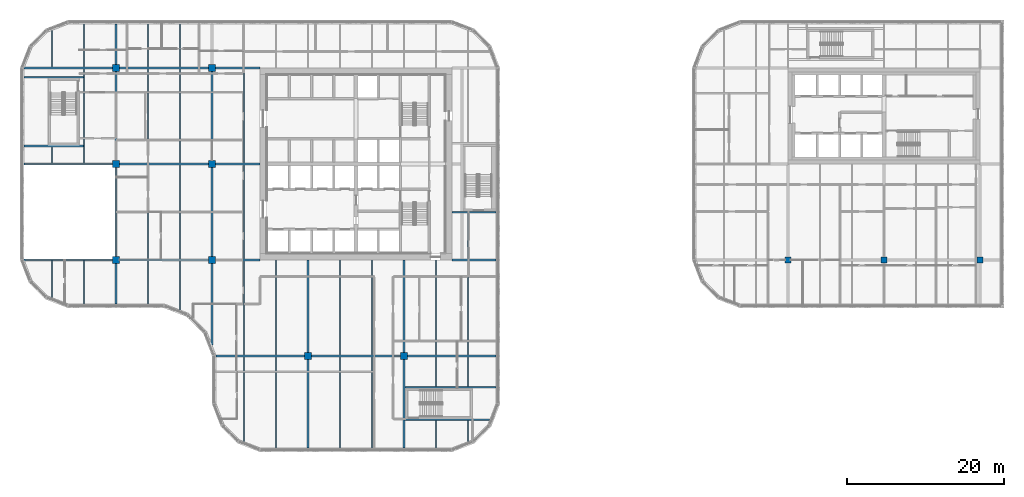
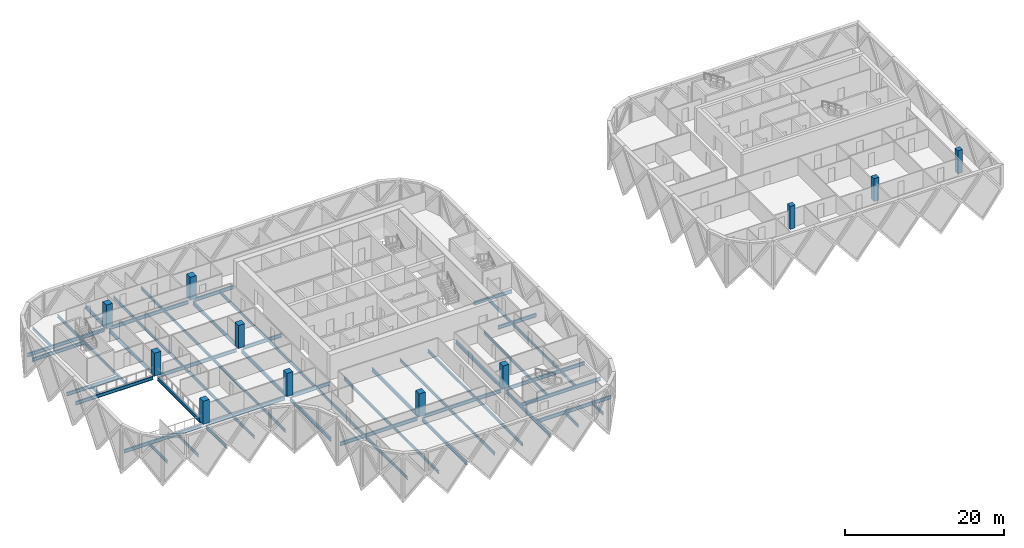
# One storey, part 1 of 24: 60 beams, 11 columns.
"""IFC4 building model written with IfcOpenShell, lengths in metres."""

import ifcopenshell
import ifcopenshell.guid

model = None  # the IFC model being written
_history = None  # IfcOwnerHistory: only IFC2X3 demands one
_inside = {}  # id of a spatial element -> (the spatial element, [elements in it])
_under = {}  # id of a project, library or spatial element -> (it, [spatial elements below it])
_declared = {}  # id of a project -> (the project, [libraries it declares])
_typed = {}  # id of a type object -> (the type object, [elements of that type])
_made_of = {}  # id of a material, layer set ... -> (it, [elements and type objects made of it])


def new_model(schema):
    """Start an empty IFC model of exactly this schema.

    Asked for "IFC4X3", IfcOpenShell would pick the latest addendum, in which some entities
    have other attributes; the version numbers below select the first issue.
    IFC2X3 requires an IfcOwnerHistory on every rooted entity: one is made here for all.
    """
    global model, _history
    if schema == "IFC4X3":
        model = ifcopenshell.file(schema_version=(4, 3, 0, 0))
    else:
        model = ifcopenshell.file(schema=schema)
    _inside.clear()
    _under.clear()
    _declared.clear()
    _typed.clear()
    _made_of.clear()
    _history = None
    if model.schema == "IFC2X3":
        org = make("IfcOrganization", Name="unknown")
        user = make(
            "IfcPersonAndOrganization",
            ThePerson=make("IfcPerson", FamilyName="unknown"),
            TheOrganization=org,
        )
        app = make(
            "IfcApplication",
            ApplicationDeveloper=org,
            Version="unknown",
            ApplicationFullName="unknown",
            ApplicationIdentifier="unknown",
        )
        _history = make(
            "IfcOwnerHistory",
            OwningUser=user,
            OwningApplication=app,
            ChangeAction="ADDED",
            CreationDate=0,
        )
    return model


def make(cls, **values):
    """One entity of the class cls with the attributes given. An attribute that is None is left unset."""
    return model.create_entity(
        cls, **{name: value for name, value in values.items() if value is not None}
    )


def rooted(cls, **values):
    """An entity with a GlobalId (a new one), such as an element, a storey or a relation."""
    return make(cls, GlobalId=ifcopenshell.guid.new(), OwnerHistory=_history, **values)


def si_unit(unit_type, name, prefix=None):
    """IfcSIUnit, for example si_unit("LENGTHUNIT", "METRE", prefix="MILLI")."""
    return make("IfcSIUnit", UnitType=unit_type, Prefix=prefix, Name=name)


def assignment(units):
    """IfcUnitAssignment: the units of a project."""
    return None if units is None else make("IfcUnitAssignment", Units=units)


def point(xyz):
    """IfcCartesianPoint."""
    return None if xyz is None else make("IfcCartesianPoint", Coordinates=xyz)


def direction(xyz):
    """IfcDirection."""
    return None if xyz is None else make("IfcDirection", DirectionRatios=xyz)


def frame(location, z_axis=None, x_axis=None):
    """IfcAxis2Placement3D, a coordinate frame: its origin and axes. An axis left out is left unset."""
    return make(
        "IfcAxis2Placement3D",
        Location=point(location),
        Axis=direction(z_axis),
        RefDirection=direction(x_axis),
    )


def frame_2d(location, x_axis=None):
    """IfcAxis2Placement2D, a coordinate frame in the plane: its origin and x axis."""
    return make(
        "IfcAxis2Placement2D", Location=point(location), RefDirection=direction(x_axis)
    )


def origin():
    """The frame at (0, 0, 0) with its axes left unset."""
    return frame((0.0, 0.0, 0.0))


def origin_2d():
    """The frame at (0, 0) in the plane with its x axis left unset."""
    return frame_2d((0.0, 0.0))


def place(relative_to, where):
    """IfcLocalPlacement: puts the frame where relative to a parent placement (None: the world)."""
    return make(
        "IfcLocalPlacement", PlacementRelTo=relative_to, RelativePlacement=where
    )


def context(
    kind, dimensions, precision=None, world=None, true_north=None, identifier=None
):
    """IfcGeometricRepresentationContext, for example the 3D "Model" context."""
    return make(
        "IfcGeometricRepresentationContext",
        ContextIdentifier=identifier,
        ContextType=kind,
        CoordinateSpaceDimension=dimensions,
        Precision=precision,
        WorldCoordinateSystem=world,
        TrueNorth=true_north,
    )


def subcontext(parent, identifier, kind, view, scale=None):
    """IfcGeometricRepresentationSubContext, for example "Body" below "Model"."""
    return make(
        "IfcGeometricRepresentationSubContext",
        ContextIdentifier=identifier,
        ContextType=kind,
        ParentContext=parent,
        TargetScale=scale,
        TargetView=view,
    )


def project(units=None, contexts=None):
    """IfcProject with its units and contexts."""
    return rooted(
        "IfcProject",
        Name="project",
        RepresentationContexts=contexts,
        UnitsInContext=assignment(units),
    )


def spatial(cls, under=None, at=None, **own):
    """A site, building, storey or space (cls), placed at a placement, below another one or the project."""
    s = rooted(cls, ObjectPlacement=at, **own)
    if under is not None:
        _under.setdefault(under.id(), (under, []))[1].append(s)
    return s


def profile(cls, at=None, kind="AREA", **sizes):
    """A parametric profile (cls). Its sizes go by their IFC names, for example OverallWidth=200.0."""
    return make(cls, ProfileType=kind, Position=at, **sizes)


def rectangle(**sizes):
    """IfcRectangleProfileDef."""
    return profile("IfcRectangleProfileDef", **sizes)


def i_section(**sizes):
    """IfcIShapeProfileDef."""
    return profile("IfcIShapeProfileDef", **sizes)


def extrude(swept, where, along, depth):
    """IfcExtrudedAreaSolid: the profile swept, set in the frame where, extruded along a direction by depth."""
    return make(
        "IfcExtrudedAreaSolid",
        SweptArea=swept,
        Position=where,
        ExtrudedDirection=direction(along),
        Depth=depth,
    )


def shape(context_of_items, identifier, shape_type, items):
    """IfcShapeRepresentation: the items that make up one representation, for example the "Body"."""
    return make(
        "IfcShapeRepresentation",
        ContextOfItems=context_of_items,
        RepresentationIdentifier=identifier,
        RepresentationType=shape_type,
        Items=items,
    )


def material(Name=None, Category=None):
    """IfcMaterial."""
    return make("IfcMaterial", Name=Name, Category=Category)


def material_profile(
    of_material, cross_section, Name=None, Category=None, Priority=None
):
    """IfcMaterialProfile: a cross section and its material."""
    return make(
        "IfcMaterialProfile",
        Name=Name,
        Material=of_material,
        Profile=cross_section,
        Priority=Priority,
        Category=Category,
    )


def profile_set(profiles, Name=None, composite=None):
    """IfcMaterialProfileSet."""
    return make(
        "IfcMaterialProfileSet",
        Name=Name,
        MaterialProfiles=profiles,
        CompositeProfile=composite,
    )


def made_of(thing, what):
    """Note that an element or type object is made of a material, layer set ...; save() writes the relation."""
    if what is not None:
        _made_of.setdefault(what.id(), (what, []))[1].append(thing)
    return thing


def type_object(cls, material=None, **own):
    """A type object (cls), such as IfcWallType, which elements share."""
    return made_of(rooted(cls, **own), material)


def element(
    cls,
    number,
    at=None,
    inside=None,
    cuts=None,
    type_object=None,
    material=None,
    context=None,
    identifier="Body",
    shape_type=None,
    held_by="IfcProductDefinitionShape",
    body=None,
    shapes=None,
    **own,
):
    """One element of the class cls, such as IfcWall. Its Tag is "e" and its number.

    at: its placement. inside: the storey or other place that contains it. cuts: it is an
    opening in that element (IfcRelVoidsElement). A single representation is given by context,
    identifier, shape_type and body (its items); several are given by shapes. held_by: the class
    of the entity that holds the representations. save() writes the other relations.
    """
    e = rooted(cls, Tag="e%d" % number, ObjectPlacement=at, **own)
    if body is not None:
        shapes = [shape(context, identifier, shape_type, body)]
    if shapes is not None:
        e.Representation = make(held_by, Representations=shapes)
    if inside is not None:
        _inside.setdefault(inside.id(), (inside, []))[1].append(e)
    if cuts is not None:
        rooted(
            "IfcRelVoidsElement", RelatingBuildingElement=cuts, RelatedOpeningElement=e
        )
    if type_object is not None:
        _typed.setdefault(type_object.id(), (type_object, []))[1].append(e)
    return made_of(e, material)


def aggregate(whole, parts):
    """IfcRelAggregates: a whole, such as a stair, and the parts it consists of."""
    return rooted("IfcRelAggregates", RelatingObject=whole, RelatedObjects=parts)


def save(model, path):
    """Write the relations noted so far, then the file.

    IfcRelAggregates (storeys below a building ...), IfcRelContainedInSpatialStructure (elements
    in a storey), IfcRelDefinesByType, IfcRelAssociatesMaterial and IfcRelDeclares: one each for
    every whole, place, type object, material and project.
    """
    for whole, parts in _under.values():
        aggregate(whole, parts)
    for where, things in _inside.values():
        rooted(
            "IfcRelContainedInSpatialStructure",
            RelatedElements=things,
            RelatingStructure=where,
        )
    for kind, things in _typed.values():
        rooted("IfcRelDefinesByType", RelatedObjects=things, RelatingType=kind)
    for what, things in _made_of.values():
        rooted("IfcRelAssociatesMaterial", RelatedObjects=things, RelatingMaterial=what)
    for by, libraries in _declared.values():
        rooted("IfcRelDeclares", RelatingContext=by, RelatedDefinitions=libraries)
    model.write(path)


model = new_model("IFC4")

# Units and contexts
model_context = context("Model", 3, precision=1e-05, world=origin(), true_north=direction((0.0, 1.0)))
body_context = subcontext(model_context, "Body", "Model", "MODEL_VIEW")
ifc_project = project(units=[si_unit("LENGTHUNIT", "METRE"), si_unit("AREAUNIT", "SQUARE_METRE"), si_unit("VOLUMEUNIT", "CUBIC_METRE"), si_unit("PLANEANGLEUNIT", "RADIAN"), si_unit("MASSUNIT", "GRAM", prefix="KILO")], contexts=[model_context])

# Site, building, storey
site_placement = place(None, origin())
site = spatial("IfcSite", under=ifc_project, at=site_placement, CompositionType="ELEMENT")
building_placement = place(site_placement, origin())
building = spatial("IfcBuilding", under=site, at=building_placement, Name="Tessera Gate Towers", CompositionType="ELEMENT")
storey_placement = place(building_placement, frame((0.0, 0.0, 102.800048828125)))
storey = spatial("IfcBuildingStorey", under=building, at=storey_placement, Name="L25", CompositionType="ELEMENT", Elevation=102.800048828125)

# Columns
ifc_material_1 = material(Name="Concrete C70/85", Category="concrete")
ifc_material_profile_1 = material_profile(ifc_material_1, rectangle(XDim=0.699951171875, YDim=0.699951171875, at=origin_2d()), Name="RC 700x700")
ifc_profile_set_1 = profile_set([ifc_material_profile_1], Name="Concrete C70/85")
column_type_1 = type_object("IfcColumnType", Name="COLUMN RC 700x700", PredefinedType="COLUMN", material=ifc_profile_set_1)
for number, where, z_axis, x_axis, name in (
    (1, (97.60009765625, 24.39990234375, 0.0), (0.0, 0.0, 1.0), (1.0, 0.0, 0.0), "T2-COL-9C-L25"),
    (2, (109.800048828125, 24.39990234375, 0.0), (0.0, 0.0, 1.0), (1.0, 0.0, 0.0), "T2-COL-10C-L25"),
    (3, (122.0, 24.39990234375, 0.0), (0.0, 0.0, 1.0), (1.0, 0.0, 0.0), "T2-COL-11C-L25"),
):
    element("IfcColumn", number, at=place(storey_placement, frame(where, z_axis=z_axis, x_axis=x_axis)), inside=storey, type_object=column_type_1, Name=name, PredefinedType="COLUMN", context=body_context, shape_type="SweptSolid", body=[
        extrude(rectangle(XDim=0.699951171875, YDim=0.699951171875, at=origin_2d()), origin(), (0.0, 0.0, 1.0), 3.550048828125),
    ])
ifc_material_2 = material(Name="Concrete C70/85", Category="concrete")
ifc_material_profile_2 = material_profile(ifc_material_2, rectangle(XDim=0.89990234375, YDim=0.89990234375, at=origin_2d()), Name="RC 900x900")
ifc_profile_set_2 = profile_set([ifc_material_profile_2], Name="Concrete C70/85")
column_type_2 = type_object("IfcColumnType", Name="COLUMN RC 900x900", PredefinedType="COLUMN", material=ifc_profile_set_2)
for number, where, z_axis, x_axis, name in (
    (4, (12.199951171875, 24.39990234375, 0.0), (0.0, 0.0, 1.0), (1.0, 0.0, 0.0), "T1-COL-2C-L25"),
    (5, (12.199951171875, 36.60009765625, 0.0), (0.0, 0.0, 1.0), (1.0, 0.0, 0.0), "T1-COL-2D-L25"),
    (6, (12.199951171875, 48.800048828125, 0.0), (0.0, 0.0, 1.0), (1.0, 0.0, 0.0), "T1-COL-2E-L25"),
    (7, (24.39990234375, 24.39990234375, 0.0), (0.0, 0.0, 1.0), (1.0, 0.0, 0.0), "T1-COL-3C-L25"),
    (8, (24.39990234375, 36.60009765625, 0.0), (0.0, 0.0, 1.0), (1.0, 0.0, 0.0), "T1-COL-3D-L25"),
    (9, (24.39990234375, 48.800048828125, 0.0), (0.0, 0.0, 1.0), (1.0, 0.0, 0.0), "T1-COL-3E-L25"),
    (10, (36.60009765625, 12.199951171875, 0.0), (0.0, 0.0, 1.0), (1.0, 0.0, 0.0), "T1-COL-4B-L25"),
    (11, (48.800048828125, 12.199951171875, 0.0), (0.0, 0.0, 1.0), (1.0, 0.0, 0.0), "T1-COL-5B-L25"),
):
    element("IfcColumn", number, at=place(storey_placement, frame(where, z_axis=z_axis, x_axis=x_axis)), inside=storey, type_object=column_type_2, Name=name, PredefinedType="COLUMN", context=body_context, shape_type="SweptSolid", body=[
        extrude(rectangle(XDim=0.89990234375, YDim=0.89990234375, at=origin_2d()), origin(), (0.0, 0.0, 1.0), 3.550048828125),
    ])

# Beams
ifc_material_3 = material(Name="Steel 350W", Category="steel")
ifc_material_profile_3 = material_profile(ifc_material_3, i_section(OverallWidth=0.208984375, OverallDepth=0.532958984375, WebThickness=0.01025390625, FlangeThickness=0.015625, at=origin_2d()), Name="W530x92")
ifc_profile_set_3 = profile_set([ifc_material_profile_3], Name="Steel 350W")
beam_type_1 = type_object("IfcBeamType", Name="FLOOR GIRDER W530x92", PredefinedType="BEAM", material=ifc_profile_set_3)
beam_1_placement = place(storey_placement, frame((24.89892578125, 12.199951171875, -0.466552734375), z_axis=(1.0, 0.0, 0.0), x_axis=(0.0, 1.0, 0.0)))
element("IfcBeam", 12, at=beam_1_placement, inside=storey, type_object=beam_type_1, Name="T1-GD-L25-3290", PredefinedType="BEAM", context=body_context, shape_type="SweptSolid", body=[
    extrude(i_section(OverallWidth=0.208984375, OverallDepth=0.532958984375, WebThickness=0.01025390625, FlangeThickness=0.015625, at=origin_2d()), origin(), (0.0, 0.0, 1.0), 11.2509765625),
])
beam_2_placement = place(storey_placement, frame((37.050048828125, 12.199951171875, -0.466552734375), z_axis=(1.0, 0.0, 0.0), x_axis=(0.0, 1.0, 0.0)))
element("IfcBeam", 13, at=beam_2_placement, inside=storey, type_object=beam_type_1, Name="T1-GD-L25-3291", PredefinedType="BEAM", context=body_context, shape_type="SweptSolid", body=[
    extrude(i_section(OverallWidth=0.208984375, OverallDepth=0.532958984375, WebThickness=0.01025390625, FlangeThickness=0.015625, at=origin_2d()), origin(), (0.0, 0.0, 1.0), 11.300048828125),
])
beam_3_placement = place(storey_placement, frame((49.25, 12.199951171875, -0.466552734375), z_axis=(1.0, 0.0, 0.0), x_axis=(0.0, 1.0, 0.0)))
element("IfcBeam", 14, at=beam_3_placement, inside=storey, type_object=beam_type_1, Name="T1-GD-L25-3292", PredefinedType="BEAM", context=body_context, shape_type="SweptSolid", body=[
    extrude(i_section(OverallWidth=0.208984375, OverallDepth=0.532958984375, WebThickness=0.01025390625, FlangeThickness=0.015625, at=origin_2d()), origin(), (0.0, 0.0, 1.0), 11.2509765625),
])
beam_4_placement = place(storey_placement, frame((0.534912109375, 24.39990234375, -0.466552734375), z_axis=(1.0, 0.0, 0.0), x_axis=(0.0, 1.0, 0.0)))
element("IfcBeam", 15, at=beam_4_placement, inside=storey, type_object=beam_type_1, Name="T1-GD-L25-3293", PredefinedType="BEAM", context=body_context, shape_type="SweptSolid", body=[
    extrude(i_section(OverallWidth=0.208984375, OverallDepth=0.532958984375, WebThickness=0.01025390625, FlangeThickness=0.015625, at=origin_2d()), origin(), (0.0, 0.0, 1.0), 11.215087890625),
])
beam_5_placement = place(storey_placement, frame((12.64990234375, 24.39990234375, -0.466552734375), z_axis=(1.0, 0.0, 0.0), x_axis=(0.0, 1.0, 0.0)))
element("IfcBeam", 16, at=beam_5_placement, inside=storey, type_object=beam_type_1, Name="T1-GD-L25-3294", PredefinedType="BEAM", context=body_context, shape_type="SweptSolid", body=[
    extrude(i_section(OverallWidth=0.208984375, OverallDepth=0.532958984375, WebThickness=0.01025390625, FlangeThickness=0.015625, at=origin_2d()), origin(), (0.0, 0.0, 1.0), 11.300048828125),
])
beam_6_placement = place(storey_placement, frame((24.85009765625, 24.39990234375, -0.466552734375), z_axis=(1.0, 0.0, 0.0), x_axis=(0.0, 1.0, 0.0)))
element("IfcBeam", 17, at=beam_6_placement, inside=storey, type_object=beam_type_1, Name="T1-GD-L25-3295", PredefinedType="BEAM", context=body_context, shape_type="SweptSolid", body=[
    extrude(i_section(OverallWidth=0.208984375, OverallDepth=0.532958984375, WebThickness=0.01025390625, FlangeThickness=0.015625, at=origin_2d()), origin(), (0.0, 0.0, 1.0), 5.64892578125),
])
beam_7_placement = place(storey_placement, frame((54.90087890625, 24.39990234375, -0.466552734375), z_axis=(1.0, 0.0, 0.0), x_axis=(0.0, 1.0, 0.0)))
element("IfcBeam", 18, at=beam_7_placement, inside=storey, type_object=beam_type_1, Name="T1-GD-L25-3296", PredefinedType="BEAM", context=body_context, shape_type="SweptSolid", body=[
    extrude(i_section(OverallWidth=0.208984375, OverallDepth=0.532958984375, WebThickness=0.01025390625, FlangeThickness=0.015625, at=origin_2d()), origin(), (0.0, 0.0, 1.0), 5.60009765625),
])
beam_8_placement = place(storey_placement, frame((0.4990234375, 36.60009765625, -0.466552734375), z_axis=(1.0, 0.0, 0.0), x_axis=(0.0, 1.0, 0.0)))
element("IfcBeam", 19, at=beam_8_placement, inside=storey, type_object=beam_type_1, Name="T1-GD-L25-3297", PredefinedType="BEAM", context=body_context, shape_type="SweptSolid", body=[
    extrude(i_section(OverallWidth=0.208984375, OverallDepth=0.532958984375, WebThickness=0.01025390625, FlangeThickness=0.015625, at=origin_2d()), origin(), (0.0, 0.0, 1.0), 11.2509765625),
])
beam_9_placement = place(storey_placement, frame((12.64990234375, 36.60009765625, -0.466552734375), z_axis=(1.0, 0.0, 0.0), x_axis=(0.0, 1.0, 0.0)))
element("IfcBeam", 20, at=beam_9_placement, inside=storey, type_object=beam_type_1, Name="T1-GD-L25-3298", PredefinedType="BEAM", context=body_context, shape_type="SweptSolid", body=[
    extrude(i_section(OverallWidth=0.208984375, OverallDepth=0.532958984375, WebThickness=0.01025390625, FlangeThickness=0.015625, at=origin_2d()), origin(), (0.0, 0.0, 1.0), 11.300048828125),
])
beam_10_placement = place(storey_placement, frame((24.85009765625, 36.60009765625, -0.466552734375), z_axis=(1.0, 0.0, 0.0), x_axis=(0.0, 1.0, 0.0)))
element("IfcBeam", 21, at=beam_10_placement, inside=storey, type_object=beam_type_1, Name="T1-GD-L25-3299", PredefinedType="BEAM", context=body_context, shape_type="SweptSolid", body=[
    extrude(i_section(OverallWidth=0.208984375, OverallDepth=0.532958984375, WebThickness=0.01025390625, FlangeThickness=0.015625, at=origin_2d()), origin(), (0.0, 0.0, 1.0), 5.65087890625),
])
beam_11_placement = place(storey_placement, frame((0.534912109375, 48.800048828125, -0.466552734375), z_axis=(1.0, 0.0, 0.0), x_axis=(0.0, 1.0, 0.0)))
element("IfcBeam", 22, at=beam_11_placement, inside=storey, type_object=beam_type_1, Name="T1-GD-L25-3301", PredefinedType="BEAM", context=body_context, shape_type="SweptSolid", body=[
    extrude(i_section(OverallWidth=0.208984375, OverallDepth=0.532958984375, WebThickness=0.01025390625, FlangeThickness=0.015625, at=origin_2d()), origin(), (0.0, 0.0, 1.0), 11.215087890625),
])
beam_12_placement = place(storey_placement, frame((12.64990234375, 48.800048828125, -0.466552734375), z_axis=(1.0, 0.0, 0.0), x_axis=(0.0, 1.0, 0.0)))
element("IfcBeam", 23, at=beam_12_placement, inside=storey, type_object=beam_type_1, Name="T1-GD-L25-3302", PredefinedType="BEAM", context=body_context, shape_type="SweptSolid", body=[
    extrude(i_section(OverallWidth=0.208984375, OverallDepth=0.532958984375, WebThickness=0.01025390625, FlangeThickness=0.015625, at=origin_2d()), origin(), (0.0, 0.0, 1.0), 11.300048828125),
])
beam_13_placement = place(storey_placement, frame((24.85009765625, 48.800048828125, -0.466552734375), z_axis=(1.0, 0.0, 0.0), x_axis=(0.0, 1.0, 0.0)))
element("IfcBeam", 24, at=beam_13_placement, inside=storey, type_object=beam_type_1, Name="T1-GD-L25-3303", PredefinedType="BEAM", context=body_context, shape_type="SweptSolid", body=[
    extrude(i_section(OverallWidth=0.208984375, OverallDepth=0.532958984375, WebThickness=0.01025390625, FlangeThickness=0.015625, at=origin_2d()), origin(), (0.0, 0.0, 1.0), 5.64892578125),
])
beam_14_placement = place(storey_placement, frame((12.199951171875, 18.799072265625, -0.466552734375), z_axis=(0.0, 1.0, 0.0), x_axis=(-1.0, 0.0, 0.0)))
element("IfcBeam", 25, at=beam_14_placement, inside=storey, type_object=beam_type_1, Name="T1-GD-L25-3305", PredefinedType="BEAM", context=body_context, shape_type="SweptSolid", body=[
    extrude(i_section(OverallWidth=0.208984375, OverallDepth=0.532958984375, WebThickness=0.01025390625, FlangeThickness=0.015625, at=origin_2d()), origin(), (0.0, 0.0, 1.0), 5.15087890625),
])
beam_15_placement = place(storey_placement, frame((12.199951171875, 24.85009765625, -0.466552734375), z_axis=(0.0, 1.0, 0.0), x_axis=(-1.0, 0.0, 0.0)))
element("IfcBeam", 26, at=beam_15_placement, inside=storey, type_object=beam_type_1, Name="T1-GD-L25-3306", PredefinedType="BEAM", context=body_context, shape_type="SweptSolid", body=[
    extrude(i_section(OverallWidth=0.208984375, OverallDepth=0.532958984375, WebThickness=0.01025390625, FlangeThickness=0.015625, at=origin_2d()), origin(), (0.0, 0.0, 1.0), 11.2998046875),
])
beam_16_placement = place(storey_placement, frame((12.199951171875, 37.050048828125, -0.466552734375), z_axis=(0.0, 1.0, 0.0), x_axis=(-1.0, 0.0, 0.0)))
element("IfcBeam", 27, at=beam_16_placement, inside=storey, type_object=beam_type_1, Name="T1-GD-L25-3307", PredefinedType="BEAM", context=body_context, shape_type="SweptSolid", body=[
    extrude(i_section(OverallWidth=0.208984375, OverallDepth=0.532958984375, WebThickness=0.01025390625, FlangeThickness=0.015625, at=origin_2d()), origin(), (0.0, 0.0, 1.0), 11.300048828125),
])
beam_17_placement = place(storey_placement, frame((12.199951171875, 49.25, -0.466552734375), z_axis=(0.0, 1.0, 0.0), x_axis=(-1.0, 0.0, 0.0)))
element("IfcBeam", 28, at=beam_17_placement, inside=storey, type_object=beam_type_1, Name="T1-GD-L25-3308", PredefinedType="BEAM", context=body_context, shape_type="SweptSolid", body=[
    extrude(i_section(OverallWidth=0.208984375, OverallDepth=0.532958984375, WebThickness=0.01025390625, FlangeThickness=0.015625, at=origin_2d()), origin(), (0.0, 0.0, 1.0), 5.15087890625),
])
beam_18_placement = place(storey_placement, frame((24.39990234375, 13.58642578125, -0.466552734375), z_axis=(0.0, 1.0, 0.0), x_axis=(-1.0, 0.0, 0.0)))
element("IfcBeam", 29, at=beam_18_placement, inside=storey, type_object=beam_type_1, Name="T1-GD-L25-3309", PredefinedType="BEAM", context=body_context, shape_type="SweptSolid", body=[
    extrude(i_section(OverallWidth=0.208984375, OverallDepth=0.532958984375, WebThickness=0.01025390625, FlangeThickness=0.015625, at=origin_2d()), origin(), (0.0, 0.0, 1.0), 10.363525390625),
])
beam_19_placement = place(storey_placement, frame((24.39990234375, 24.85009765625, -0.466552734375), z_axis=(0.0, 1.0, 0.0), x_axis=(-1.0, 0.0, 0.0)))
element("IfcBeam", 30, at=beam_19_placement, inside=storey, type_object=beam_type_1, Name="T1-GD-L25-3310", PredefinedType="BEAM", context=body_context, shape_type="SweptSolid", body=[
    extrude(i_section(OverallWidth=0.208984375, OverallDepth=0.532958984375, WebThickness=0.01025390625, FlangeThickness=0.015625, at=origin_2d()), origin(), (0.0, 0.0, 1.0), 11.2998046875),
])
beam_20_placement = place(storey_placement, frame((24.39990234375, 37.050048828125, -0.466552734375), z_axis=(0.0, 1.0, 0.0), x_axis=(-1.0, 0.0, 0.0)))
element("IfcBeam", 31, at=beam_20_placement, inside=storey, type_object=beam_type_1, Name="T1-GD-L25-3311", PredefinedType="BEAM", context=body_context, shape_type="SweptSolid", body=[
    extrude(i_section(OverallWidth=0.208984375, OverallDepth=0.532958984375, WebThickness=0.01025390625, FlangeThickness=0.015625, at=origin_2d()), origin(), (0.0, 0.0, 1.0), 11.300048828125),
])
beam_21_placement = place(storey_placement, frame((36.60009765625, 0.4990234375, -0.466552734375), z_axis=(0.0, 1.0, 0.0), x_axis=(-1.0, 0.0, 0.0)))
element("IfcBeam", 32, at=beam_21_placement, inside=storey, type_object=beam_type_1, Name="T1-GD-L25-3313", PredefinedType="BEAM", context=body_context, shape_type="SweptSolid", body=[
    extrude(i_section(OverallWidth=0.208984375, OverallDepth=0.532958984375, WebThickness=0.01025390625, FlangeThickness=0.015625, at=origin_2d()), origin(), (0.0, 0.0, 1.0), 11.2509765625),
])
beam_22_placement = place(storey_placement, frame((36.60009765625, 12.64990234375, -0.466552734375), z_axis=(0.0, 1.0, 0.0), x_axis=(-1.0, 0.0, 0.0)))
element("IfcBeam", 33, at=beam_22_placement, inside=storey, type_object=beam_type_1, Name="T1-GD-L25-3314", PredefinedType="BEAM", context=body_context, shape_type="SweptSolid", body=[
    extrude(i_section(OverallWidth=0.208984375, OverallDepth=0.532958984375, WebThickness=0.01025390625, FlangeThickness=0.015625, at=origin_2d()), origin(), (0.0, 0.0, 1.0), 11.75),
])
beam_23_placement = place(storey_placement, frame((48.800048828125, 0.4990234375, -0.466552734375), z_axis=(0.0, 1.0, 0.0), x_axis=(-1.0, 0.0, 0.0)))
element("IfcBeam", 34, at=beam_23_placement, inside=storey, type_object=beam_type_1, Name="T1-GD-L25-3315", PredefinedType="BEAM", context=body_context, shape_type="SweptSolid", body=[
    extrude(i_section(OverallWidth=0.208984375, OverallDepth=0.532958984375, WebThickness=0.01025390625, FlangeThickness=0.015625, at=origin_2d()), origin(), (0.0, 0.0, 1.0), 11.2509765625),
])
beam_24_placement = place(storey_placement, frame((48.800048828125, 12.64990234375, -0.466552734375), z_axis=(0.0, 1.0, 0.0), x_axis=(-1.0, 0.0, 0.0)))
element("IfcBeam", 35, at=beam_24_placement, inside=storey, type_object=beam_type_1, Name="T1-GD-L25-3316", PredefinedType="BEAM", context=body_context, shape_type="SweptSolid", body=[
    extrude(i_section(OverallWidth=0.208984375, OverallDepth=0.532958984375, WebThickness=0.01025390625, FlangeThickness=0.015625, at=origin_2d()), origin(), (0.0, 0.0, 1.0), 11.75),
])
for number, where, z_axis, x_axis, name in (
    (36, (0.4990234375, 38.8798828125, -0.466552734375), (1.0, 0.0, 0.0), (0.0, 1.0, 0.0), "T1-GD-L25-3317"),
    (37, (0.4990234375, 47.6201171875, -0.466552734375), (1.0, 0.0, 0.0), (0.0, 1.0, 0.0), "T1-GD-L25-3318"),
):
    element("IfcBeam", number, at=place(storey_placement, frame(where, z_axis=z_axis, x_axis=x_axis)), inside=storey, type_object=beam_type_1, Name=name, PredefinedType="BEAM", context=body_context, shape_type="SweptSolid", body=[
        extrude(i_section(OverallWidth=0.208984375, OverallDepth=0.532958984375, WebThickness=0.01025390625, FlangeThickness=0.015625, at=origin_2d()), origin(), (0.0, 0.0, 1.0), 7.557861328125),
    ])
beam_25_placement = place(storey_placement, frame((48.87646484375, 4.080078125, -0.466552734375), z_axis=(1.0, 0.0, 0.0), x_axis=(0.0, 1.0, 0.0)))
element("IfcBeam", 38, at=beam_25_placement, inside=storey, type_object=beam_type_1, Name="T1-GD-L25-3319", PredefinedType="BEAM", context=body_context, shape_type="SweptSolid", body=[
    extrude(i_section(OverallWidth=0.208984375, OverallDepth=0.532958984375, WebThickness=0.01025390625, FlangeThickness=0.015625, at=origin_2d()), origin(), (0.0, 0.0, 1.0), 10.809326171875),
])
beam_26_placement = place(storey_placement, frame((48.87646484375, 8.219970703125, -0.466552734375), z_axis=(1.0, 0.0, 0.0), x_axis=(0.0, 1.0, 0.0)))
element("IfcBeam", 39, at=beam_26_placement, inside=storey, type_object=beam_type_1, Name="T1-GD-L25-3320", PredefinedType="BEAM", context=body_context, shape_type="SweptSolid", body=[
    extrude(i_section(OverallWidth=0.208984375, OverallDepth=0.532958984375, WebThickness=0.01025390625, FlangeThickness=0.015625, at=origin_2d()), origin(), (0.0, 0.0, 1.0), 11.62451171875),
])
beam_27_placement = place(storey_placement, frame((54.89892578125, 30.47998046875, -0.466552734375), z_axis=(1.0, 0.0, 0.0), x_axis=(0.0, 1.0, 0.0)))
element("IfcBeam", 40, at=beam_27_placement, inside=storey, type_object=beam_type_1, Name="T1-GD-L25-3321", PredefinedType="BEAM", context=body_context, shape_type="SweptSolid", body=[
    extrude(i_section(OverallWidth=0.208984375, OverallDepth=0.532958984375, WebThickness=0.01025390625, FlangeThickness=0.015625, at=origin_2d()), origin(), (0.0, 0.0, 1.0), 5.60205078125),
])
ifc_material_4 = material(Name="Steel 350W", Category="steel")
ifc_material_profile_4 = material_profile(ifc_material_4, i_section(OverallWidth=0.153076171875, OverallDepth=0.455078125, WebThickness=0.008056640625, FlangeThickness=0.01318359375, at=origin_2d()), Name="W460x60")
ifc_profile_set_4 = profile_set([ifc_material_profile_4], Name="Steel 350W")
beam_type_2 = type_object("IfcBeamType", Name="FLOOR SECONDARY W460x60", PredefinedType="BEAM", material=ifc_profile_set_4)
beam_28_placement = place(storey_placement, frame((4.066650390625, 19.620361328125, -0.427490234375), z_axis=(0.0, 1.0, 0.0), x_axis=(-1.0, 0.0, 0.0)))
element("IfcBeam", 41, at=beam_28_placement, inside=storey, type_object=beam_type_2, Name="T1-BM-L25-3324", PredefinedType="BEAM", context=body_context, shape_type="SweptSolid", body=[
    extrude(i_section(OverallWidth=0.153076171875, OverallDepth=0.455078125, WebThickness=0.008056640625, FlangeThickness=0.01318359375, at=origin_2d()), origin(), (0.0, 0.0, 1.0), 4.779541015625),
])
beam_29_placement = place(storey_placement, frame((4.066650390625, 36.70458984375, -0.427490234375), z_axis=(0.0, 1.0, 0.0), x_axis=(-1.0, 0.0, 0.0)))
element("IfcBeam", 42, at=beam_29_placement, inside=storey, type_object=beam_type_2, Name="T1-BM-L25-3325", PredefinedType="BEAM", context=body_context, shape_type="SweptSolid", body=[
    extrude(i_section(OverallWidth=0.153076171875, OverallDepth=0.455078125, WebThickness=0.008056640625, FlangeThickness=0.01318359375, at=origin_2d()), origin(), (0.0, 0.0, 1.0), 2.07080078125),
])
beam_30_placement = place(storey_placement, frame((4.066650390625, 48.904541015625, -0.427490234375), z_axis=(0.0, 1.0, 0.0), x_axis=(-1.0, 0.0, 0.0)))
element("IfcBeam", 43, at=beam_30_placement, inside=storey, type_object=beam_type_2, Name="T1-BM-L25-3326", PredefinedType="BEAM", context=body_context, shape_type="SweptSolid", body=[
    extrude(i_section(OverallWidth=0.153076171875, OverallDepth=0.455078125, WebThickness=0.008056640625, FlangeThickness=0.01318359375, at=origin_2d()), origin(), (0.0, 0.0, 1.0), 4.675048828125),
])
beam_31_placement = place(storey_placement, frame((8.13330078125, 18.800048828125, -0.427490234375), z_axis=(0.0, 1.0, 0.0), x_axis=(-1.0, 0.0, 0.0)))
element("IfcBeam", 44, at=beam_31_placement, inside=storey, type_object=beam_type_2, Name="T1-BM-L25-3327", PredefinedType="BEAM", context=body_context, shape_type="SweptSolid", body=[
    extrude(i_section(OverallWidth=0.153076171875, OverallDepth=0.455078125, WebThickness=0.008056640625, FlangeThickness=0.01318359375, at=origin_2d()), origin(), (0.0, 0.0, 1.0), 5.599853515625),
])
beam_32_placement = place(storey_placement, frame((8.13330078125, 36.70458984375, -0.427490234375), z_axis=(0.0, 1.0, 0.0), x_axis=(-1.0, 0.0, 0.0)))
element("IfcBeam", 45, at=beam_32_placement, inside=storey, type_object=beam_type_2, Name="T1-BM-L25-3328", PredefinedType="BEAM", context=body_context, shape_type="SweptSolid", body=[
    extrude(i_section(OverallWidth=0.153076171875, OverallDepth=0.455078125, WebThickness=0.008056640625, FlangeThickness=0.01318359375, at=origin_2d()), origin(), (0.0, 0.0, 1.0), 11.990966796875),
])
for number, where, z_axis, x_axis, name in (
    (46, (8.13330078125, 48.904541015625, -0.427490234375), (0.0, 1.0, 0.0), (-1.0, 0.0, 0.0), "T1-BM-L25-3329"),
    (47, (16.2666015625, 18.800048828125, -0.427490234375), (0.0, 1.0, 0.0), (-1.0, 0.0, 0.0), "T1-BM-L25-3330"),
):
    element("IfcBeam", number, at=place(storey_placement, frame(where, z_axis=z_axis, x_axis=x_axis)), inside=storey, type_object=beam_type_2, Name=name, PredefinedType="BEAM", context=body_context, shape_type="SweptSolid", body=[
        extrude(i_section(OverallWidth=0.153076171875, OverallDepth=0.455078125, WebThickness=0.008056640625, FlangeThickness=0.01318359375, at=origin_2d()), origin(), (0.0, 0.0, 1.0), 5.495361328125),
    ])
beam_33_placement = place(storey_placement, frame((16.2666015625, 24.50439453125, -0.427490234375), z_axis=(0.0, 1.0, 0.0), x_axis=(-1.0, 0.0, 0.0)))
element("IfcBeam", 48, at=beam_33_placement, inside=storey, type_object=beam_type_2, Name="T1-BM-L25-3331", PredefinedType="BEAM", context=body_context, shape_type="SweptSolid", body=[
    extrude(i_section(OverallWidth=0.153076171875, OverallDepth=0.455078125, WebThickness=0.008056640625, FlangeThickness=0.01318359375, at=origin_2d()), origin(), (0.0, 0.0, 1.0), 11.9912109375),
])
beam_34_placement = place(storey_placement, frame((16.2666015625, 36.70458984375, -0.427490234375), z_axis=(0.0, 1.0, 0.0), x_axis=(-1.0, 0.0, 0.0)))
element("IfcBeam", 49, at=beam_34_placement, inside=storey, type_object=beam_type_2, Name="T1-BM-L25-3332", PredefinedType="BEAM", context=body_context, shape_type="SweptSolid", body=[
    extrude(i_section(OverallWidth=0.153076171875, OverallDepth=0.455078125, WebThickness=0.008056640625, FlangeThickness=0.01318359375, at=origin_2d()), origin(), (0.0, 0.0, 1.0), 11.990966796875),
])
beam_35_placement = place(storey_placement, frame((16.2666015625, 48.904541015625, -0.427490234375), z_axis=(0.0, 1.0, 0.0), x_axis=(-1.0, 0.0, 0.0)))
element("IfcBeam", 50, at=beam_35_placement, inside=storey, type_object=beam_type_2, Name="T1-BM-L25-3333", PredefinedType="BEAM", context=body_context, shape_type="SweptSolid", body=[
    extrude(i_section(OverallWidth=0.153076171875, OverallDepth=0.455078125, WebThickness=0.008056640625, FlangeThickness=0.01318359375, at=origin_2d()), origin(), (0.0, 0.0, 1.0), 5.495361328125),
])
beam_36_placement = place(storey_placement, frame((20.333251953125, 18.051513671875, -0.427490234375), z_axis=(0.0, 1.0, 0.0), x_axis=(-1.0, 0.0, 0.0)))
element("IfcBeam", 51, at=beam_36_placement, inside=storey, type_object=beam_type_2, Name="T1-BM-L25-3334", PredefinedType="BEAM", context=body_context, shape_type="SweptSolid", body=[
    extrude(i_section(OverallWidth=0.153076171875, OverallDepth=0.455078125, WebThickness=0.008056640625, FlangeThickness=0.01318359375, at=origin_2d()), origin(), (0.0, 0.0, 1.0), 6.243896484375),
])
beam_37_placement = place(storey_placement, frame((20.333251953125, 24.50439453125, -0.427490234375), z_axis=(0.0, 1.0, 0.0), x_axis=(-1.0, 0.0, 0.0)))
element("IfcBeam", 52, at=beam_37_placement, inside=storey, type_object=beam_type_2, Name="T1-BM-L25-3335", PredefinedType="BEAM", context=body_context, shape_type="SweptSolid", body=[
    extrude(i_section(OverallWidth=0.153076171875, OverallDepth=0.455078125, WebThickness=0.008056640625, FlangeThickness=0.01318359375, at=origin_2d()), origin(), (0.0, 0.0, 1.0), 11.9912109375),
])
beam_38_placement = place(storey_placement, frame((20.333251953125, 36.70458984375, -0.427490234375), z_axis=(0.0, 1.0, 0.0), x_axis=(-1.0, 0.0, 0.0)))
element("IfcBeam", 53, at=beam_38_placement, inside=storey, type_object=beam_type_2, Name="T1-BM-L25-3336", PredefinedType="BEAM", context=body_context, shape_type="SweptSolid", body=[
    extrude(i_section(OverallWidth=0.153076171875, OverallDepth=0.455078125, WebThickness=0.008056640625, FlangeThickness=0.01318359375, at=origin_2d()), origin(), (0.0, 0.0, 1.0), 11.990966796875),
])
beam_39_placement = place(storey_placement, frame((20.333251953125, 48.904541015625, -0.427490234375), z_axis=(0.0, 1.0, 0.0), x_axis=(-1.0, 0.0, 0.0)))
element("IfcBeam", 54, at=beam_39_placement, inside=storey, type_object=beam_type_2, Name="T1-BM-L25-3337", PredefinedType="BEAM", context=body_context, shape_type="SweptSolid", body=[
    extrude(i_section(OverallWidth=0.153076171875, OverallDepth=0.455078125, WebThickness=0.008056640625, FlangeThickness=0.01318359375, at=origin_2d()), origin(), (0.0, 0.0, 1.0), 5.495361328125),
])
beam_40_placement = place(storey_placement, frame((28.466796875, 1.3203125, -0.427490234375), z_axis=(0.0, 1.0, 0.0), x_axis=(-1.0, 0.0, 0.0)))
element("IfcBeam", 55, at=beam_40_placement, inside=storey, type_object=beam_type_2, Name="T1-BM-L25-3338", PredefinedType="BEAM", context=body_context, shape_type="SweptSolid", body=[
    extrude(i_section(OverallWidth=0.153076171875, OverallDepth=0.455078125, WebThickness=0.008056640625, FlangeThickness=0.01318359375, at=origin_2d()), origin(), (0.0, 0.0, 1.0), 10.775146484375),
])
beam_41_placement = place(storey_placement, frame((28.466796875, 12.304443359375, -0.427490234375), z_axis=(0.0, 1.0, 0.0), x_axis=(-1.0, 0.0, 0.0)))
element("IfcBeam", 56, at=beam_41_placement, inside=storey, type_object=beam_type_2, Name="T1-BM-L25-3339", PredefinedType="BEAM", context=body_context, shape_type="SweptSolid", body=[
    extrude(i_section(OverallWidth=0.153076171875, OverallDepth=0.455078125, WebThickness=0.008056640625, FlangeThickness=0.01318359375, at=origin_2d()), origin(), (0.0, 0.0, 1.0), 11.990966796875),
])
beam_42_placement = place(storey_placement, frame((28.466796875, 24.50439453125, -0.427490234375), z_axis=(0.0, 1.0, 0.0), x_axis=(-1.0, 0.0, 0.0)))
element("IfcBeam", 57, at=beam_42_placement, inside=storey, type_object=beam_type_2, Name="T1-BM-L25-3340", PredefinedType="BEAM", context=body_context, shape_type="SweptSolid", body=[
    extrude(i_section(OverallWidth=0.153076171875, OverallDepth=0.455078125, WebThickness=0.008056640625, FlangeThickness=0.01318359375, at=origin_2d()), origin(), (0.0, 0.0, 1.0), 11.9912109375),
])
beam_43_placement = place(storey_placement, frame((28.466796875, 36.70458984375, -0.427490234375), z_axis=(0.0, 1.0, 0.0), x_axis=(-1.0, 0.0, 0.0)))
element("IfcBeam", 58, at=beam_43_placement, inside=storey, type_object=beam_type_2, Name="T1-BM-L25-3341", PredefinedType="BEAM", context=body_context, shape_type="SweptSolid", body=[
    extrude(i_section(OverallWidth=0.153076171875, OverallDepth=0.455078125, WebThickness=0.008056640625, FlangeThickness=0.01318359375, at=origin_2d()), origin(), (0.0, 0.0, 1.0), 11.990966796875),
])
beam_44_placement = place(storey_placement, frame((32.533203125, 0.5, -0.427490234375), z_axis=(0.0, 1.0, 0.0), x_axis=(-1.0, 0.0, 0.0)))
element("IfcBeam", 59, at=beam_44_placement, inside=storey, type_object=beam_type_2, Name="T1-BM-L25-3343", PredefinedType="BEAM", context=body_context, shape_type="SweptSolid", body=[
    extrude(i_section(OverallWidth=0.153076171875, OverallDepth=0.455078125, WebThickness=0.008056640625, FlangeThickness=0.01318359375, at=origin_2d()), origin(), (0.0, 0.0, 1.0), 11.595458984375),
])
beam_45_placement = place(storey_placement, frame((32.533203125, 12.304443359375, -0.427490234375), z_axis=(0.0, 1.0, 0.0), x_axis=(-1.0, 0.0, 0.0)))
element("IfcBeam", 60, at=beam_45_placement, inside=storey, type_object=beam_type_2, Name="T1-BM-L25-3344", PredefinedType="BEAM", context=body_context, shape_type="SweptSolid", body=[
    extrude(i_section(OverallWidth=0.153076171875, OverallDepth=0.455078125, WebThickness=0.008056640625, FlangeThickness=0.01318359375, at=origin_2d()), origin(), (0.0, 0.0, 1.0), 12.095458984375),
])
beam_46_placement = place(storey_placement, frame((40.666748046875, 0.5, -0.427490234375), z_axis=(0.0, 1.0, 0.0), x_axis=(-1.0, 0.0, 0.0)))
element("IfcBeam", 61, at=beam_46_placement, inside=storey, type_object=beam_type_2, Name="T1-BM-L25-3347", PredefinedType="BEAM", context=body_context, shape_type="SweptSolid", body=[
    extrude(i_section(OverallWidth=0.153076171875, OverallDepth=0.455078125, WebThickness=0.008056640625, FlangeThickness=0.01318359375, at=origin_2d()), origin(), (0.0, 0.0, 1.0), 11.595458984375),
])
beam_47_placement = place(storey_placement, frame((40.666748046875, 12.304443359375, -0.427490234375), z_axis=(0.0, 1.0, 0.0), x_axis=(-1.0, 0.0, 0.0)))
element("IfcBeam", 62, at=beam_47_placement, inside=storey, type_object=beam_type_2, Name="T1-BM-L25-3348", PredefinedType="BEAM", context=body_context, shape_type="SweptSolid", body=[
    extrude(i_section(OverallWidth=0.153076171875, OverallDepth=0.455078125, WebThickness=0.008056640625, FlangeThickness=0.01318359375, at=origin_2d()), origin(), (0.0, 0.0, 1.0), 12.095458984375),
])
beam_48_placement = place(storey_placement, frame((44.7333984375, 0.5, -0.427490234375), z_axis=(0.0, 1.0, 0.0), x_axis=(-1.0, 0.0, 0.0)))
element("IfcBeam", 63, at=beam_48_placement, inside=storey, type_object=beam_type_2, Name="T1-BM-L25-3350", PredefinedType="BEAM", context=body_context, shape_type="SweptSolid", body=[
    extrude(i_section(OverallWidth=0.153076171875, OverallDepth=0.455078125, WebThickness=0.008056640625, FlangeThickness=0.01318359375, at=origin_2d()), origin(), (0.0, 0.0, 1.0), 11.595458984375),
])
beam_49_placement = place(storey_placement, frame((44.7333984375, 12.304443359375, -0.427490234375), z_axis=(0.0, 1.0, 0.0), x_axis=(-1.0, 0.0, 0.0)))
element("IfcBeam", 64, at=beam_49_placement, inside=storey, type_object=beam_type_2, Name="T1-BM-L25-3351", PredefinedType="BEAM", context=body_context, shape_type="SweptSolid", body=[
    extrude(i_section(OverallWidth=0.153076171875, OverallDepth=0.455078125, WebThickness=0.008056640625, FlangeThickness=0.01318359375, at=origin_2d()), origin(), (0.0, 0.0, 1.0), 12.095458984375),
])
beam_50_placement = place(storey_placement, frame((52.86669921875, 0.5, -0.427490234375), z_axis=(0.0, 1.0, 0.0), x_axis=(-1.0, 0.0, 0.0)))
element("IfcBeam", 65, at=beam_50_placement, inside=storey, type_object=beam_type_2, Name="T1-BM-L25-3354", PredefinedType="BEAM", context=body_context, shape_type="SweptSolid", body=[
    extrude(i_section(OverallWidth=0.153076171875, OverallDepth=0.455078125, WebThickness=0.008056640625, FlangeThickness=0.01318359375, at=origin_2d()), origin(), (0.0, 0.0, 1.0), 3.4755859375),
])
beam_51_placement = place(storey_placement, frame((52.86669921875, 8.324462890625, -0.427490234375), z_axis=(0.0, 1.0, 0.0), x_axis=(-1.0, 0.0, 0.0)))
element("IfcBeam", 66, at=beam_51_placement, inside=storey, type_object=beam_type_2, Name="T1-BM-L25-3355", PredefinedType="BEAM", context=body_context, shape_type="SweptSolid", body=[
    extrude(i_section(OverallWidth=0.153076171875, OverallDepth=0.455078125, WebThickness=0.008056640625, FlangeThickness=0.01318359375, at=origin_2d()), origin(), (0.0, 0.0, 1.0), 3.77099609375),
])
beam_52_placement = place(storey_placement, frame((52.86669921875, 12.304443359375, -0.427490234375), z_axis=(0.0, 1.0, 0.0), x_axis=(-1.0, 0.0, 0.0)))
element("IfcBeam", 67, at=beam_52_placement, inside=storey, type_object=beam_type_2, Name="T1-BM-L25-3356", PredefinedType="BEAM", context=body_context, shape_type="SweptSolid", body=[
    extrude(i_section(OverallWidth=0.153076171875, OverallDepth=0.455078125, WebThickness=0.008056640625, FlangeThickness=0.01318359375, at=origin_2d()), origin(), (0.0, 0.0, 1.0), 12.095458984375),
])
beam_53_placement = place(storey_placement, frame((56.933349609375, 1.3203125, -0.427490234375), z_axis=(0.0, 1.0, 0.0), x_axis=(-1.0, 0.0, 0.0)))
element("IfcBeam", 68, at=beam_53_placement, inside=storey, type_object=beam_type_2, Name="T1-BM-L25-3358", PredefinedType="BEAM", context=body_context, shape_type="SweptSolid", body=[
    extrude(i_section(OverallWidth=0.153076171875, OverallDepth=0.455078125, WebThickness=0.008056640625, FlangeThickness=0.01318359375, at=origin_2d()), origin(), (0.0, 0.0, 1.0), 2.6552734375),
])
beam_54_placement = place(storey_placement, frame((56.933349609375, 8.324462890625, -0.427490234375), z_axis=(0.0, 1.0, 0.0), x_axis=(-1.0, 0.0, 0.0)))
element("IfcBeam", 69, at=beam_54_placement, inside=storey, type_object=beam_type_2, Name="T1-BM-L25-3359", PredefinedType="BEAM", context=body_context, shape_type="SweptSolid", body=[
    extrude(i_section(OverallWidth=0.153076171875, OverallDepth=0.455078125, WebThickness=0.008056640625, FlangeThickness=0.01318359375, at=origin_2d()), origin(), (0.0, 0.0, 1.0), 3.77099609375),
])
beam_55_placement = place(storey_placement, frame((56.933349609375, 12.304443359375, -0.427490234375), z_axis=(0.0, 1.0, 0.0), x_axis=(-1.0, 0.0, 0.0)))
element("IfcBeam", 70, at=beam_55_placement, inside=storey, type_object=beam_type_2, Name="T1-BM-L25-3360", PredefinedType="BEAM", context=body_context, shape_type="SweptSolid", body=[
    extrude(i_section(OverallWidth=0.153076171875, OverallDepth=0.455078125, WebThickness=0.008056640625, FlangeThickness=0.01318359375, at=origin_2d()), origin(), (0.0, 0.0, 1.0), 11.990966796875),
])
beam_56_placement = place(storey_placement, frame((56.933349609375, 24.50439453125, -0.427490234375), z_axis=(0.0, 1.0, 0.0), x_axis=(-1.0, 0.0, 0.0)))
element("IfcBeam", 71, at=beam_56_placement, inside=storey, type_object=beam_type_2, Name="T1-BM-L25-3361", PredefinedType="BEAM", context=body_context, shape_type="SweptSolid", body=[
    extrude(i_section(OverallWidth=0.153076171875, OverallDepth=0.455078125, WebThickness=0.008056640625, FlangeThickness=0.01318359375, at=origin_2d()), origin(), (0.0, 0.0, 1.0), 5.87109375),
])

save(model, "model.ifc")
